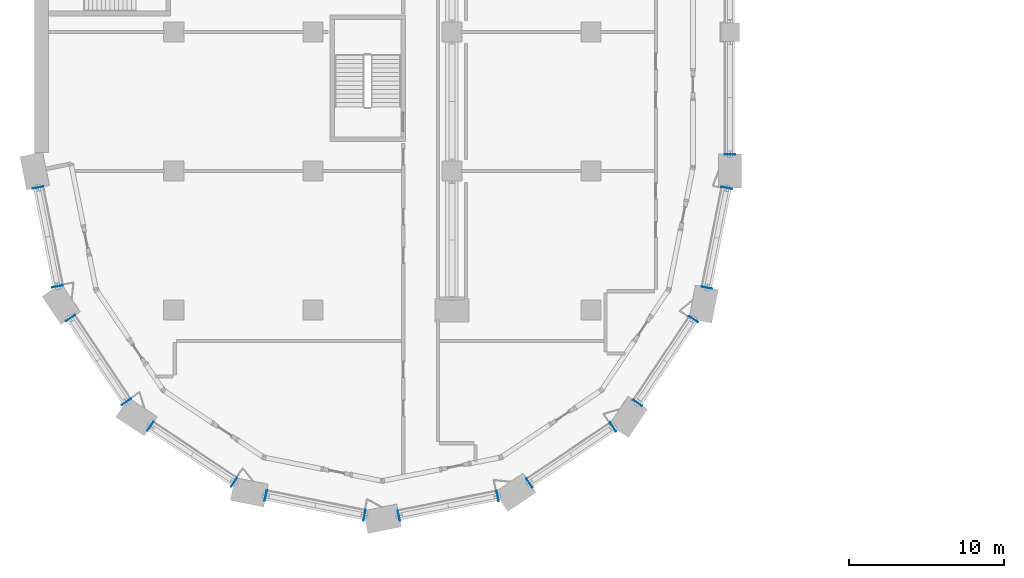
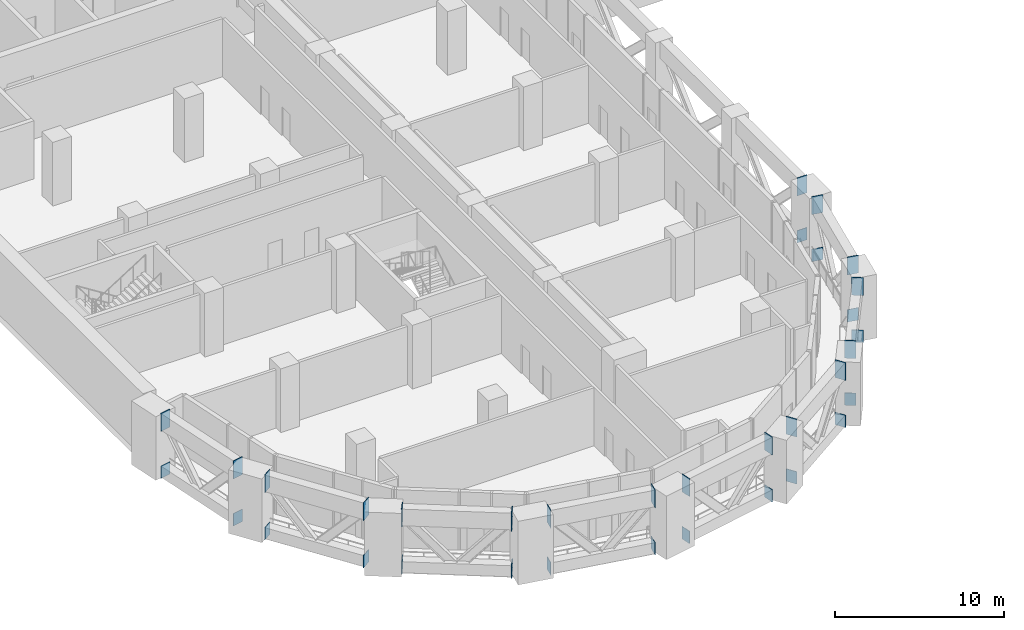
# One storey, part 16 of 22: 34 discrete accessories.
"""IFC4 building model written with IfcOpenShell, lengths in metres."""

from ifc_helpers import new_model, si_unit, direction, frame, origin, origin_2d, place, context, subcontext, project, spatial, rectangle, extrude, material, layer, layer_set, type_object, element, save


model = new_model("IFC4")

# Units and contexts
model_context = context("Model", 3, precision=1e-05, world=origin(), true_north=direction((0.0, 1.0)))
body_context = subcontext(model_context, "Body", "Model", "MODEL_VIEW")
ifc_project = project(units=[si_unit("LENGTHUNIT", "METRE"), si_unit("AREAUNIT", "SQUARE_METRE"), si_unit("VOLUMEUNIT", "CUBIC_METRE"), si_unit("PLANEANGLEUNIT", "RADIAN"), si_unit("MASSUNIT", "GRAM", prefix="KILO")], contexts=[model_context])

# Site, building, storey
site_placement = place(None, origin())
site = spatial("IfcSite", under=ifc_project, at=site_placement, CompositionType="ELEMENT")
building_placement = place(site_placement, origin())
building = spatial("IfcBuilding", under=site, at=building_placement, Name="Hunhe Ridgeline Campus", CompositionType="ELEMENT")
storey_placement = place(building_placement, frame((0.0, 0.0, 129.199951171875)))
storey = spatial("IfcBuildingStorey", under=building, at=storey_placement, Name="L32", CompositionType="ELEMENT", Elevation=129.199951171875)

# Discrete accessories
ifc_material = material(Name="Steel Q420", Category="steel")
ifc_layer_1 = layer(ifc_material, 0.030029296875)
ifc_layer_set_1 = layer_set([ifc_layer_1], Name="Gusset plate 700x1300x30 Steel Q420")
discrete_accessory_type_1 = type_object("IfcDiscreteAccessoryType", Name="Gusset plate 700x1300x30 Steel Q420", PredefinedType="BRACKET", material=ifc_layer_set_1)
for number, where, z_axis, x_axis, name in (
    (1, (0.211669921875, 25.935791015625, 3.35009765625), (0.0, 0.0, 1.0), (-0.195090322016, 0.980785280403, 0.0), "Gusset plate BT1 L32 1"),
    (2, (1.4833984375, 19.542724609375, 3.35009765625), (0.0, 0.0, 1.0), (0.195090322016, -0.980785280403, 0.0), "Gusset plate BT1 L32 3"),
    (3, (2.3154296875, 17.487548828125, 3.35009765625), (0.0, 0.0, 1.0), (-0.55557023302, 0.831469612303, 0.0), "Gusset plate BT1 L32 5"),
    (4, (5.93701171875, 12.067626953125, 3.35009765625), (0.0, 0.0, 1.0), (0.55557023302, -0.831469612303, 0.0), "Gusset plate BT1 L32 7"),
    (5, (7.4921875, 10.4873046875, 3.35009765625), (0.0, 0.0, 1.0), (-0.831469612303, 0.55557023302, 0.0), "Gusset plate BT1 L32 9"),
    (6, (12.912109375, 6.865966796875, 3.35009765625), (0.0, 0.0, 1.0), (0.831469612303, -0.55557023302, 0.0), "Gusset plate BT1 L32 11"),
    (7, (14.953857421875, 6.0009765625, 3.35009765625), (0.0, 0.0, 1.0), (-0.980785280403, 0.195090322016, 0.0), "Gusset plate BT1 L32 13"),
    (8, (21.346923828125, 4.729248046875, 3.35009765625), (0.0, 0.0, 1.0), (0.980785280403, -0.195090322016, 0.0), "Gusset plate BT1 L32 15"),
    (9, (23.564208984375, 4.711669921875, 3.35009765625), (0.0, 0.0, 1.0), (-0.980785280403, -0.195090322016, 0.0), "Gusset plate BT1 L32 17"),
    (10, (29.957275390625, 5.9833984375, 3.35009765625), (0.0, 0.0, 1.0), (0.980785280403, 0.195090322016, 0.0), "Gusset plate BT1 L32 19"),
    (11, (32.012451171875, 6.8154296875, 3.35009765625), (0.0, 0.0, 1.0), (-0.831469612303, -0.55557023302, 0.0), "Gusset plate BT1 L32 21"),
    (12, (37.432373046875, 10.43701171875, 3.35009765625), (0.0, 0.0, 1.0), (0.831469612303, 0.55557023302, 0.0), "Gusset plate BT1 L32 23"),
    (13, (39.0126953125, 11.9921875, 3.35009765625), (0.0, 0.0, 1.0), (-0.55557023302, -0.831469612303, 0.0), "Gusset plate BT1 L32 25"),
    (14, (42.634033203125, 17.412109375, 3.35009765625), (0.0, 0.0, 1.0), (0.55557023302, 0.831469612303, 0.0), "Gusset plate BT1 L32 27"),
    (15, (43.4990234375, 19.453857421875, 3.35009765625), (0.0, 0.0, 1.0), (-0.195090322016, -0.980785280403, 0.0), "Gusset plate BT1 L32 29"),
    (16, (44.7841796875, 25.914794921875, 3.35009765625), (0.0, 0.0, 1.0), (0.195090322016, 0.980785280403, 0.0), "Gusset plate BT1 L32 31"),
    (17, (45.0, 28.0849609375, 3.35009765625), (0.0, 0.0, 1.0), (0.0, -1.0, 0.0), "Gusset plate BT1 L32 33"),
):
    element("IfcDiscreteAccessory", number, at=place(storey_placement, frame(where, z_axis=z_axis, x_axis=x_axis)), inside=storey, type_object=discrete_accessory_type_1, Name=name, PredefinedType="BRACKET", context=body_context, shape_type="SweptSolid", body=[
        extrude(rectangle(XDim=0.030029296875, YDim=0.699951171875, at=origin_2d()), origin(), (0.0, 0.0, 1.0), 1.300048828125),
    ])
ifc_layer_2 = layer(ifc_material, 0.030029296875)
ifc_layer_set_2 = layer_set([ifc_layer_2], Name="Gusset plate 700x900x30 Steel Q420")
discrete_accessory_type_2 = type_object("IfcDiscreteAccessoryType", Name="Gusset plate 700x900x30 Steel Q420", PredefinedType="BRACKET", material=ifc_layer_set_2)
for number, where, z_axis, x_axis, name in (
    (18, (0.211669921875, 25.935791015625, -0.0498046875), (0.0, 0.0, 1.0), (-0.195090322016, 0.980785280403, 0.0), "Gusset plate BT1 L32 2"),
    (19, (1.4833984375, 19.542724609375, -0.0498046875), (0.0, 0.0, 1.0), (0.195090322016, -0.980785280403, 0.0), "Gusset plate BT1 L32 4"),
    (20, (2.3154296875, 17.487548828125, -0.0498046875), (0.0, 0.0, 1.0), (-0.55557023302, 0.831469612303, 0.0), "Gusset plate BT1 L32 6"),
    (21, (5.93701171875, 12.067626953125, -0.0498046875), (0.0, 0.0, 1.0), (0.55557023302, -0.831469612303, 0.0), "Gusset plate BT1 L32 8"),
    (22, (7.4921875, 10.4873046875, -0.0498046875), (0.0, 0.0, 1.0), (-0.831469612303, 0.55557023302, 0.0), "Gusset plate BT1 L32 10"),
    (23, (12.912109375, 6.865966796875, -0.0498046875), (0.0, 0.0, 1.0), (0.831469612303, -0.55557023302, 0.0), "Gusset plate BT1 L32 12"),
    (24, (14.953857421875, 6.0009765625, -0.0498046875), (0.0, 0.0, 1.0), (-0.980785280403, 0.195090322016, 0.0), "Gusset plate BT1 L32 14"),
    (25, (21.346923828125, 4.729248046875, -0.0498046875), (0.0, 0.0, 1.0), (0.980785280403, -0.195090322016, 0.0), "Gusset plate BT1 L32 16"),
    (26, (23.564208984375, 4.711669921875, -0.0498046875), (0.0, 0.0, 1.0), (-0.980785280403, -0.195090322016, 0.0), "Gusset plate BT1 L32 18"),
    (27, (29.957275390625, 5.9833984375, -0.0498046875), (0.0, 0.0, 1.0), (0.980785280403, 0.195090322016, 0.0), "Gusset plate BT1 L32 20"),
    (28, (32.012451171875, 6.8154296875, -0.0498046875), (0.0, 0.0, 1.0), (-0.831469612303, -0.55557023302, 0.0), "Gusset plate BT1 L32 22"),
    (29, (37.432373046875, 10.43701171875, -0.0498046875), (0.0, 0.0, 1.0), (0.831469612303, 0.55557023302, 0.0), "Gusset plate BT1 L32 24"),
    (30, (39.0126953125, 11.9921875, -0.0498046875), (0.0, 0.0, 1.0), (-0.55557023302, -0.831469612303, 0.0), "Gusset plate BT1 L32 26"),
    (31, (42.634033203125, 17.412109375, -0.0498046875), (0.0, 0.0, 1.0), (0.55557023302, 0.831469612303, 0.0), "Gusset plate BT1 L32 28"),
    (32, (43.4990234375, 19.453857421875, -0.0498046875), (0.0, 0.0, 1.0), (-0.195090322016, -0.980785280403, 0.0), "Gusset plate BT1 L32 30"),
    (33, (44.7841796875, 25.914794921875, -0.0498046875), (0.0, 0.0, 1.0), (0.195090322016, 0.980785280403, 0.0), "Gusset plate BT1 L32 32"),
    (34, (45.0, 28.0849609375, -0.0498046875), (0.0, 0.0, 1.0), (0.0, -1.0, 0.0), "Gusset plate BT1 L32 34"),
):
    element("IfcDiscreteAccessory", number, at=place(storey_placement, frame(where, z_axis=z_axis, x_axis=x_axis)), inside=storey, type_object=discrete_accessory_type_2, Name=name, PredefinedType="BRACKET", context=body_context, shape_type="SweptSolid", body=[
        extrude(rectangle(XDim=0.030029296875, YDim=0.699951171875, at=origin_2d()), origin(), (0.0, 0.0, 1.0), 0.89990234375),
    ])

save(model, "model.ifc")
